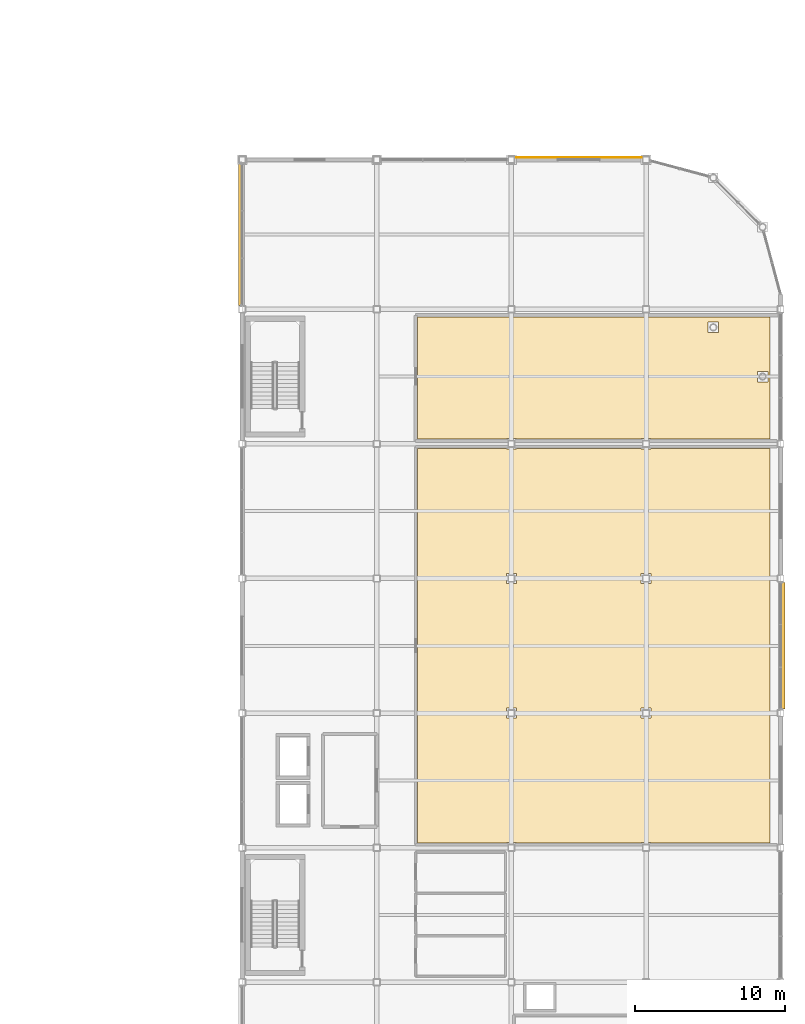
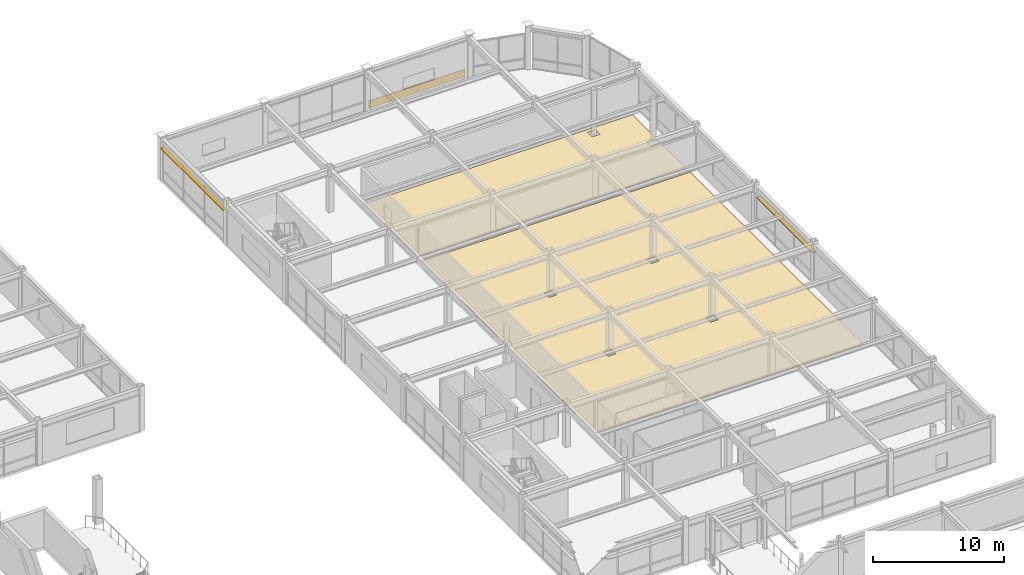
# One storey, part 105 of 105: 3 coverings, 2 shading devices.
"""IFC4 building model written with IfcOpenShell, lengths in metres."""

from ifc_helpers import new_model, si_unit, direction, frame, origin, origin_2d, place, context, subcontext, project, spatial, polyline, rectangle, outline, extrude, material, layer, layer_set, material_profile, profile_set, type_object, element, save


model = new_model("IFC4")

# Units and contexts
model_context = context("Model", 3, precision=1e-05, world=origin(), true_north=direction((0.0, 1.0)))
body_context = subcontext(model_context, "Body", "Model", "MODEL_VIEW")
ifc_project = project(units=[si_unit("LENGTHUNIT", "METRE"), si_unit("AREAUNIT", "SQUARE_METRE"), si_unit("VOLUMEUNIT", "CUBIC_METRE"), si_unit("PLANEANGLEUNIT", "RADIAN"), si_unit("MASSUNIT", "GRAM", prefix="KILO")], contexts=[model_context])

# Site, building, storey
site_placement = place(None, origin())
site = spatial("IfcSite", under=ifc_project, at=site_placement, CompositionType="ELEMENT")
building_placement = place(site_placement, origin())
building = spatial("IfcBuilding", under=site, at=building_placement, Name="Suzunagisa Mobility Hub", CompositionType="ELEMENT")
storey_placement = place(building_placement, frame((0.0, 0.0, 5.10009765625)))
storey = spatial("IfcBuildingStorey", under=building, at=storey_placement, Name="L01", CompositionType="ELEMENT", Elevation=5.10009765625)

# Coverings
ifc_material_1 = material(Name="Polished Aggregate Terrazzo Finish")
ifc_layer_1 = layer(ifc_material_1, 0.02001953125)
ifc_layer_set_1 = layer_set([ifc_layer_1], Name="Polished Aggregate Terrazzo Finish")
covering_type_1 = type_object("IfcCoveringType", Name="Polished Terrazzo Heavy-Traffic Flooring FLR-01", PredefinedType="FLOORING", material=ifc_layer_set_1)
covering_1_placement = place(storey_placement, origin())
element("IfcCovering", 1, at=covering_1_placement, inside=storey, type_object=covering_type_1, Name="L01 Driver Safety Simulation and Training Hall L01 Terrazzo Flooring", PredefinedType="FLOORING", context=body_context, shape_type="SweptSolid", body=[
    extrude(outline(polyline([(161.655029296875, 88.655029296875), (162.344970703125, 88.655029296875), (162.344970703125, 88.679931640625), (170.655029296875, 88.679931640625), (170.655029296875, 88.655029296875), (171.344970703125, 88.655029296875), (171.344970703125, 88.679931640625), (179.280029296875, 88.679931640625), (179.280029296875, 62.320068359375), (171.344970703125, 62.320068359375), (171.344970703125, 62.344970703125), (170.655029296875, 62.344970703125), (170.655029296875, 62.320068359375), (162.344970703125, 62.320068359375), (162.344970703125, 62.344970703125), (161.655029296875, 62.344970703125), (161.655029296875, 62.320068359375), (155.719970703125, 62.320068359375), (155.719970703125, 88.679931640625), (161.655029296875, 88.679931640625), (161.655029296875, 88.655029296875)]), holes=[polyline([(161.655029296875, 71.344970703125), (161.655029296875, 70.655029296875), (162.344970703125, 70.655029296875), (162.344970703125, 71.344970703125), (161.655029296875, 71.344970703125)]), polyline([(162.344970703125, 80.344970703125), (161.655029296875, 80.344970703125), (161.655029296875, 79.655029296875), (162.344970703125, 79.655029296875), (162.344970703125, 80.344970703125)]), polyline([(170.655029296875, 71.344970703125), (170.655029296875, 70.655029296875), (171.344970703125, 70.655029296875), (171.344970703125, 71.344970703125), (170.655029296875, 71.344970703125)]), polyline([(171.344970703125, 80.344970703125), (170.655029296875, 80.344970703125), (170.655029296875, 79.655029296875), (171.344970703125, 79.655029296875), (171.344970703125, 80.344970703125)])]), origin(), (0.0, 0.0, 1.0), 0.02001953125),
])
covering_2_placement = place(storey_placement, origin())
element("IfcCovering", 2, at=covering_2_placement, inside=storey, type_object=covering_type_1, Name="L01 North Air-Handling Unit Plant Room L01 Terrazzo Flooring", PredefinedType="FLOORING", context=body_context, shape_type="SweptSolid", body=[
    extrude(outline(polyline([(155.719970703125, 97.47998046875), (179.280029296875, 97.47998046875), (179.280029296875, 89.320068359375), (171.344970703125, 89.320068359375), (171.344970703125, 89.344970703125), (170.655029296875, 89.344970703125), (170.655029296875, 89.320068359375), (162.344970703125, 89.320068359375), (162.344970703125, 89.344970703125), (161.655029296875, 89.344970703125), (161.655029296875, 89.320068359375), (155.719970703125, 89.320068359375), (155.719970703125, 97.47998046875)]), holes=[polyline([(175.8486328125, 97.142822265625), (175.1513671875, 97.142822265625), (175.1513671875, 96.445556640625), (175.8486328125, 96.445556640625), (175.8486328125, 97.142822265625)]), polyline([(179.142822265625, 93.1513671875), (179.142822265625, 93.8486328125), (178.445556640625, 93.8486328125), (178.445556640625, 93.1513671875), (179.142822265625, 93.1513671875)])]), origin(), (0.0, 0.0, 1.0), 0.02001953125),
])
ifc_material_2 = material(Name="Vitreous Porcelain Enamel Aluminum Cladding", Category="aluminium")
ifc_layer_2 = layer(ifc_material_2, 0.034912109375)
ifc_layer_set_2 = layer_set([ifc_layer_2], Name="Vitreous Porcelain Enamel Aluminum Cladding")
covering_type_2 = type_object("IfcCoveringType", Name="Porcelain Enamel Spandrel Cladding Band CLD-01", PredefinedType="CLADDING", material=ifc_layer_set_2)
covering_3_placement = place(storey_placement, frame((166.5, 108.157470703125, 0.06005859375), z_axis=(0.0, 0.0, 1.0), x_axis=(-1.0, 0.0, 0.0)))
element("IfcCovering", 3, at=covering_3_placement, inside=storey, type_object=covering_type_2, Name="L01 Porcelain Spandrel Cladding Band CLD-40", PredefinedType="CLADDING", context=body_context, shape_type="SweptSolid", body=[
    extrude(rectangle(XDim=8.449951171875, YDim=0.034912109375, at=origin_2d()), origin(), (0.0, 0.0, 1.0), 0.719970703125),
])

# Shading devices
ifc_material_3 = material(Name="Fluoropolymer-Coated Extruded Aluminum 6063-T5", Category="aluminium")
ifc_material_profile_1 = material_profile(ifc_material_3, rectangle(XDim=0.280029296875, YDim=0.044921875, at=origin_2d()), Name="FIN-280x45")
ifc_profile_set_1 = profile_set([ifc_material_profile_1], Name="Fluoropolymer-Coated Extruded Aluminum 6063-T5")
shading_device_type_1 = type_object("IfcShadingDeviceType", Name="Streamline Aluminum Sunshade SF-03 FIN-280x45", PredefinedType="USERDEFINED", material=ifc_profile_set_1)
shading_device_1_placement = place(storey_placement, frame((143.892578125, 107.7451171875, 3.08984375), z_axis=(0.0, -1.0, 0.0), x_axis=(1.0, 0.0, 0.0)))
element("IfcShadingDevice", 4, at=shading_device_1_placement, inside=storey, type_object=shading_device_type_1, Name="L01 Streamline Speed-Rail Sunshade Fin SF-41", ObjectType="SUNSHADE FIN", PredefinedType="USERDEFINED", context=body_context, shape_type="SweptSolid", body=[
    extrude(rectangle(XDim=0.280029296875, YDim=0.044921875, at=origin_2d()), origin(), (0.0, 0.0, 1.0), 9.490234375),
])
ifc_material_profile_2 = material_profile(ifc_material_3, rectangle(XDim=0.360107421875, YDim=0.050048828125, at=origin_2d()), Name="FIN-360x50")
ifc_profile_set_2 = profile_set([ifc_material_profile_2], Name="Fluoropolymer-Coated Extruded Aluminum 6063-T5")
shading_device_type_2 = type_object("IfcShadingDeviceType", Name="Streamline Aluminum Sunshade SF-04 FIN-360x50", PredefinedType="USERDEFINED", material=ifc_profile_set_2)
shading_device_2_placement = place(storey_placement, frame((180.110107421875, 71.2548828125, 2.849853515625), z_axis=(0.0, 1.0, 0.0), x_axis=(-1.0, 0.0, 0.0)))
element("IfcShadingDevice", 5, at=shading_device_2_placement, inside=storey, type_object=shading_device_type_2, Name="L01 Streamline Speed-Rail Sunshade Fin SF-40", ObjectType="SUNSHADE FIN", PredefinedType="USERDEFINED", context=body_context, shape_type="SweptSolid", body=[
    extrude(rectangle(XDim=0.360107421875, YDim=0.050048828125, at=origin_2d()), origin(), (0.0, 0.0, 1.0), 8.490234375),
])

save(model, "model.ifc")
